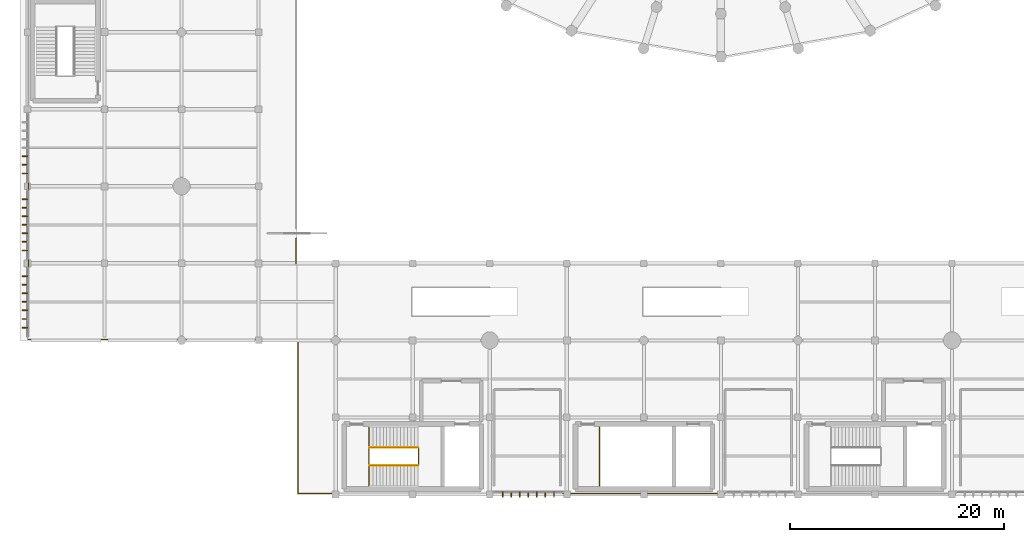
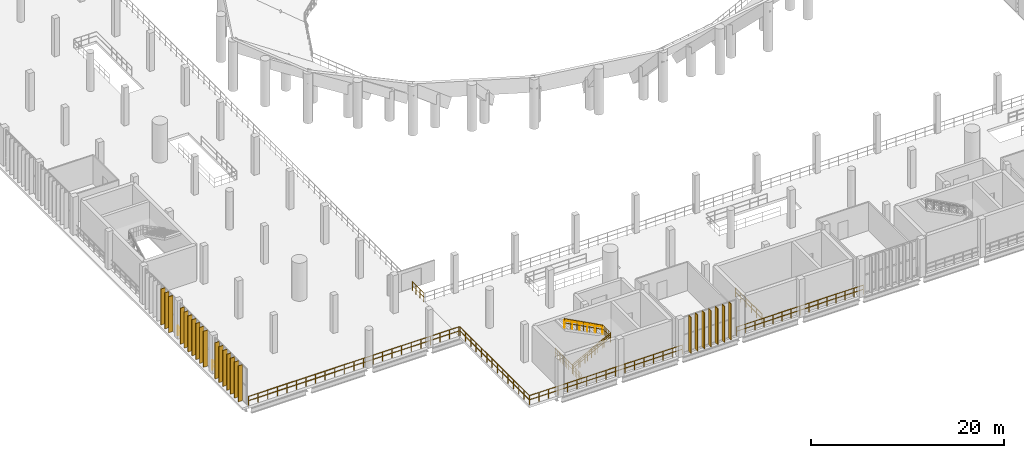
# One storey, part 90 of 105: 24 coverings, 12 railings.
"""IFC4 building model written with IfcOpenShell, lengths in metres."""

from ifc_helpers import new_model, si_unit, direction, frame, origin, origin_2d, place, context, subcontext, project, spatial, rectangle, circle, extrude, material, layer, layer_set, type_object, element, save


model = new_model("IFC4")

# Units and contexts
model_context = context("Model", 3, precision=1e-05, world=origin(), true_north=direction((0.0, 1.0)))
body_context = subcontext(model_context, "Body", "Model", "MODEL_VIEW")
ifc_project = project(units=[si_unit("LENGTHUNIT", "METRE"), si_unit("AREAUNIT", "SQUARE_METRE"), si_unit("VOLUMEUNIT", "CUBIC_METRE"), si_unit("PLANEANGLEUNIT", "RADIAN"), si_unit("MASSUNIT", "GRAM", prefix="KILO")], contexts=[model_context])

# Site, building, storey
site_placement = place(None, origin())
site = spatial("IfcSite", under=ifc_project, at=site_placement, CompositionType="ELEMENT")
building_placement = place(site_placement, origin())
building = spatial("IfcBuilding", under=site, at=building_placement, Name="Qandorah Velis Arena", CompositionType="ELEMENT")
storey_placement = place(building_placement, frame((0.0, 0.0, 13.800048828125)))
storey = spatial("IfcBuildingStorey", under=building, at=storey_placement, Name="L03", CompositionType="ELEMENT", Elevation=13.800048828125)

# Coverings
ifc_material_1 = material(Name="Champagne-bronze anodized aluminium 6063-T6", Category="aluminium")
ifc_layer = layer(ifc_material_1, 0.0849609375)
ifc_layer_set = layer_set([ifc_layer], Name="Champagne-bronze anodized aluminium 6063-T6")
covering_type = type_object("IfcCoveringType", Name="ARC-COV-FIN520", PredefinedType="CLADDING", material=ifc_layer_set)
for number, where, z_axis, x_axis, name in (
    (1, (-0.251953125, 15.60009765625, -0.01025390625), (0.0, 0.0, 1.0), (1.0, 0.0, 0.0), "Vertical champagne-bronze solar fin blade WNG-W-L03-02-001"),
    (2, (-0.251953125, 16.39990234375, -0.01025390625), (0.0, 0.0, 1.0), (1.0, 0.0, 0.0), "Vertical champagne-bronze solar fin blade WNG-W-L03-02-002"),
    (3, (-0.251953125, 17.199951171875, -0.01025390625), (0.0, 0.0, 1.0), (1.0, 0.0, 0.0), "Vertical champagne-bronze solar fin blade WNG-W-L03-02-003"),
    (4, (-0.251953125, 18.0, -0.01025390625), (0.0, 0.0, 1.0), (1.0, 0.0, 0.0), "Vertical champagne-bronze solar fin blade WNG-W-L03-02-004"),
    (5, (-0.251953125, 18.800048828125, -0.01025390625), (0.0, 0.0, 1.0), (1.0, 0.0, 0.0), "Vertical champagne-bronze solar fin blade WNG-W-L03-02-005"),
    (6, (-0.251953125, 19.60009765625, -0.01025390625), (0.0, 0.0, 1.0), (1.0, 0.0, 0.0), "Vertical champagne-bronze solar fin blade WNG-W-L03-02-006"),
    (7, (-0.251953125, 20.39990234375, -0.01025390625), (0.0, 0.0, 1.0), (1.0, 0.0, 0.0), "Vertical champagne-bronze solar fin blade WNG-W-L03-02-007"),
    (8, (-0.251953125, 22.800048828125, -0.01025390625), (0.0, 0.0, 1.0), (1.0, 0.0, 0.0), "Vertical champagne-bronze solar fin blade WNG-W-L03-03-001"),
    (9, (-0.251953125, 23.60009765625, -0.01025390625), (0.0, 0.0, 1.0), (1.0, 0.0, 0.0), "Vertical champagne-bronze solar fin blade WNG-W-L03-03-002"),
    (10, (-0.251953125, 24.39990234375, -0.01025390625), (0.0, 0.0, 1.0), (1.0, 0.0, 0.0), "Vertical champagne-bronze solar fin blade WNG-W-L03-03-003"),
    (11, (-0.251953125, 25.199951171875, -0.01025390625), (0.0, 0.0, 1.0), (1.0, 0.0, 0.0), "Vertical champagne-bronze solar fin blade WNG-W-L03-03-004"),
    (12, (-0.251953125, 26.0, -0.01025390625), (0.0, 0.0, 1.0), (1.0, 0.0, 0.0), "Vertical champagne-bronze solar fin blade WNG-W-L03-03-005"),
    (13, (-0.251953125, 26.800048828125, -0.01025390625), (0.0, 0.0, 1.0), (1.0, 0.0, 0.0), "Vertical champagne-bronze solar fin blade WNG-W-L03-03-006"),
    (14, (-0.251953125, 27.60009765625, -0.01025390625), (0.0, 0.0, 1.0), (1.0, 0.0, 0.0), "Vertical champagne-bronze solar fin blade WNG-W-L03-03-007"),
    (15, (-0.251953125, 30.0, -0.01025390625), (0.0, 0.0, 1.0), (1.0, 0.0, 0.0), "Vertical champagne-bronze solar fin blade WNG-W-L03-04-001"),
    (16, (-0.251953125, 30.800048828125, -0.01025390625), (0.0, 0.0, 1.0), (1.0, 0.0, 0.0), "Vertical champagne-bronze solar fin blade WNG-W-L03-04-002"),
    (17, (-0.251953125, 31.60009765625, -0.01025390625), (0.0, 0.0, 1.0), (1.0, 0.0, 0.0), "Vertical champagne-bronze solar fin blade WNG-W-L03-04-003"),
):
    element("IfcCovering", number, at=place(storey_placement, frame(where, z_axis=z_axis, x_axis=x_axis)), inside=storey, type_object=covering_type, Name=name, PredefinedType="CLADDING", context=body_context, shape_type="SweptSolid", body=[
        extrude(rectangle(XDim=0.52001953125, YDim=0.0849609375, at=origin_2d()), origin(), (0.0, 0.0, 1.0), 4.550048828125),
    ])
for number, where, z_axis, x_axis, name in (
    (18, (44.39990234375, -0.001953125, -0.01025390625), (0.0, 0.0, 1.0), (1.0, 0.0, 0.0), "Vertical champagne-bronze solar fin blade WNG-S-L03-06-001"),
    (19, (45.199951171875, -0.001953125, -0.01025390625), (0.0, 0.0, 1.0), (1.0, 0.0, 0.0), "Vertical champagne-bronze solar fin blade WNG-S-L03-06-002"),
    (20, (46.0, -0.001953125, -0.01025390625), (0.0, 0.0, 1.0), (1.0, 0.0, 0.0), "Vertical champagne-bronze solar fin blade WNG-S-L03-06-003"),
    (21, (46.800048828125, -0.001953125, -0.01025390625), (0.0, 0.0, 1.0), (1.0, 0.0, 0.0), "Vertical champagne-bronze solar fin blade WNG-S-L03-06-004"),
    (22, (47.60009765625, -0.001953125, -0.01025390625), (0.0, 0.0, 1.0), (1.0, 0.0, 0.0), "Vertical champagne-bronze solar fin blade WNG-S-L03-06-005"),
    (23, (48.39990234375, -0.001953125, -0.01025390625), (0.0, 0.0, 1.0), (1.0, 0.0, 0.0), "Vertical champagne-bronze solar fin blade WNG-S-L03-06-006"),
    (24, (49.199951171875, -0.001953125, -0.01025390625), (0.0, 0.0, 1.0), (1.0, 0.0, 0.0), "Vertical champagne-bronze solar fin blade WNG-S-L03-06-007"),
):
    element("IfcCovering", number, at=place(storey_placement, frame(where, z_axis=z_axis, x_axis=x_axis)), inside=storey, type_object=covering_type, Name=name, PredefinedType="CLADDING", context=body_context, shape_type="SweptSolid", body=[
        extrude(rectangle(XDim=0.0849609375, YDim=0.52001953125, at=origin_2d()), origin(), (0.0, 0.0, 1.0), 4.550048828125),
    ])

# Railings
ifc_material_2 = material(Name="Stainless steel 316", Category="steel")
railing_type_1 = type_object("IfcRailingType", Name="ARC-RL-GRD1150", PredefinedType="GUARDRAIL", material=ifc_material_2)
railing_1_placement = place(storey_placement, frame((31.909912109375, 0.860107421875, 0.0)))
element("IfcRailing", 25, at=railing_1_placement, inside=storey, type_object=railing_type_1, Name="Stair ST1 landing well-slot guardrail L03", PredefinedType="GUARDRAIL", context=body_context, shape_type="SweptSolid", body=[
    extrude(circle(Radius=0.02392578125, at=origin_2d()), frame((0.0, 0.0, 1.1259765625), z_axis=(0.0, 1.0, 0.0), x_axis=(-1.0, 0.0, 0.0)), (0.0, 0.0, 1.0), 5.3798828125),
    extrude(circle(Radius=0.02392578125, at=origin_2d()), frame((0.0, 0.0, 0.597900390625), z_axis=(0.0, 1.0, 0.0), x_axis=(-1.0, 0.0, 0.0)), (0.0, 0.0, 1.0), 5.3798828125),
    extrude(circle(Radius=0.02099609375, at=origin_2d()), origin(), (0.0, 0.0, 1.0), 1.101806640625),
    extrude(circle(Radius=0.02099609375, at=origin_2d()), frame((0.0, 0.298828125, 0.0)), (0.0, 0.0, 1.0), 1.101806640625),
    extrude(circle(Radius=0.02099609375, at=origin_2d()), frame((0.0, 0.59765625, 0.0)), (0.0, 0.0, 1.0), 1.101806640625),
    extrude(circle(Radius=0.02099609375, at=origin_2d()), frame((0.0, 0.896728515625, 0.0)), (0.0, 0.0, 1.0), 1.101806640625),
    extrude(circle(Radius=0.02099609375, at=origin_2d()), frame((0.0, 1.195556640625, 0.0)), (0.0, 0.0, 1.0), 1.101806640625),
    extrude(circle(Radius=0.02099609375, at=origin_2d()), frame((0.0, 1.494384765625, 0.0)), (0.0, 0.0, 1.0), 1.101806640625),
    extrude(circle(Radius=0.02099609375, at=origin_2d()), frame((0.0, 1.793212890625, 0.0)), (0.0, 0.0, 1.0), 1.101806640625),
    extrude(circle(Radius=0.02099609375, at=origin_2d()), frame((0.0, 2.09228515625, 0.0)), (0.0, 0.0, 1.0), 1.101806640625),
    extrude(circle(Radius=0.02099609375, at=origin_2d()), frame((0.0, 2.39111328125, 0.0)), (0.0, 0.0, 1.0), 1.101806640625),
    extrude(circle(Radius=0.02099609375, at=origin_2d()), frame((0.0, 2.68994140625, 0.0)), (0.0, 0.0, 1.0), 1.101806640625),
    extrude(circle(Radius=0.02099609375, at=origin_2d()), frame((0.0, 2.98876953125, 0.0)), (0.0, 0.0, 1.0), 1.101806640625),
    extrude(circle(Radius=0.02099609375, at=origin_2d()), frame((0.0, 3.28759765625, 0.0)), (0.0, 0.0, 1.0), 1.101806640625),
    extrude(circle(Radius=0.02099609375, at=origin_2d()), frame((0.0, 3.586669921875, 0.0)), (0.0, 0.0, 1.0), 1.101806640625),
    extrude(circle(Radius=0.02099609375, at=origin_2d()), frame((0.0, 3.885498046875, 0.0)), (0.0, 0.0, 1.0), 1.101806640625),
    extrude(circle(Radius=0.02099609375, at=origin_2d()), frame((0.0, 4.184326171875, 0.0)), (0.0, 0.0, 1.0), 1.101806640625),
    extrude(circle(Radius=0.02099609375, at=origin_2d()), frame((0.0, 4.483154296875, 0.0)), (0.0, 0.0, 1.0), 1.101806640625),
    extrude(circle(Radius=0.02099609375, at=origin_2d()), frame((0.0, 4.7822265625, 0.0)), (0.0, 0.0, 1.0), 1.101806640625),
    extrude(circle(Radius=0.02099609375, at=origin_2d()), frame((0.0, 5.0810546875, 0.0)), (0.0, 0.0, 1.0), 1.101806640625),
    extrude(circle(Radius=0.02099609375, at=origin_2d()), frame((0.0, 5.3798828125, 0.0)), (0.0, 0.0, 1.0), 1.101806640625),
])
railing_2_placement = place(storey_placement, frame((36.5458984375, 2.739990234375, 2.39990234375)))
element("IfcRailing", 26, at=railing_2_placement, inside=storey, type_object=railing_type_1, Name="Stair ST1 well guardrail (L03)", PredefinedType="GUARDRAIL", context=body_context, shape_type="SweptSolid", body=[
    extrude(circle(Radius=0.02392578125, at=origin_2d()), frame((0.0, 0.0, 1.1259765625), z_axis=(0.0, 1.0, 0.0), x_axis=(-1.0, 0.0, 0.0)), (0.0, 0.0, 1.0), 1.6201171875),
    extrude(circle(Radius=0.02392578125, at=origin_2d()), frame((0.0, 0.0, 0.597900390625), z_axis=(0.0, 1.0, 0.0), x_axis=(-1.0, 0.0, 0.0)), (0.0, 0.0, 1.0), 1.6201171875),
    extrude(circle(Radius=0.02099609375, at=origin_2d()), origin(), (0.0, 0.0, 1.0), 1.101806640625),
    extrude(circle(Radius=0.02099609375, at=origin_2d()), frame((0.0, 0.27001953125, 0.0)), (0.0, 0.0, 1.0), 1.101806640625),
    extrude(circle(Radius=0.02099609375, at=origin_2d()), frame((0.0, 0.5400390625, 0.0)), (0.0, 0.0, 1.0), 1.101806640625),
    extrude(circle(Radius=0.02099609375, at=origin_2d()), frame((0.0, 0.81005859375, 0.0)), (0.0, 0.0, 1.0), 1.101806640625),
    extrude(circle(Radius=0.02099609375, at=origin_2d()), frame((0.0, 1.080078125, 0.0)), (0.0, 0.0, 1.0), 1.101806640625),
    extrude(circle(Radius=0.02099609375, at=origin_2d()), frame((0.0, 1.35009765625, 0.0)), (0.0, 0.0, 1.0), 1.101806640625),
    extrude(circle(Radius=0.02099609375, at=origin_2d()), frame((0.0, 1.6201171875, 0.0)), (0.0, 0.0, 1.0), 1.101806640625),
])
railing_3_placement = place(storey_placement, frame((31.949951171875, 2.72998046875, 0.0)))
element("IfcRailing", 27, at=railing_3_placement, inside=storey, type_object=railing_type_1, Name="Stair ST1 inner flight 1 guardrail (L03)", PredefinedType="GUARDRAIL", context=body_context, shape_type="SweptSolid", body=[
    extrude(circle(Radius=0.02392578125, at=origin_2d()), frame((0.0, 0.0, 1.1259765625), z_axis=(0.883915174832, 0.0, 0.467647264187), x_axis=(0.0, 1.0, 0.0)), (0.0, 0.0, 1.0), 5.1318359375),
    extrude(circle(Radius=0.02392578125, at=origin_2d()), frame((0.0, 0.0, 0.597900390625), z_axis=(0.883915174832, 0.0, 0.467647264187), x_axis=(0.0, 1.0, 0.0)), (0.0, 0.0, 1.0), 5.1318359375),
    extrude(circle(Radius=0.02099609375, at=origin_2d()), origin(), (0.0, 0.0, 1.0), 1.101806640625),
    extrude(circle(Radius=0.02099609375, at=origin_2d()), frame((0.756103515625, 0.0, 0.39990234375)), (0.0, 0.0, 1.0), 1.101806640625),
    extrude(circle(Radius=0.02099609375, at=origin_2d()), frame((1.511962890625, 0.0, 0.800048828125)), (0.0, 0.0, 1.0), 1.101806640625),
    extrude(circle(Radius=0.02099609375, at=origin_2d()), frame((2.26806640625, 0.0, 1.199951171875)), (0.0, 0.0, 1.0), 1.101806640625),
    extrude(circle(Radius=0.02099609375, at=origin_2d()), frame((3.024169921875, 0.0, 1.599853515625)), (0.0, 0.0, 1.0), 1.101806640625),
    extrude(circle(Radius=0.02099609375, at=origin_2d()), frame((3.780029296875, 0.0, 2.0)), (0.0, 0.0, 1.0), 1.101806640625),
    extrude(circle(Radius=0.02099609375, at=origin_2d()), frame((4.5361328125, 0.0, 2.39990234375)), (0.0, 0.0, 1.0), 1.101806640625),
])
railing_4_placement = place(storey_placement, frame((36.486083984375, 4.3701171875, 2.39990234375)))
element("IfcRailing", 28, at=railing_4_placement, inside=storey, type_object=railing_type_1, Name="Stair ST1 inner flight 2 guardrail (L03)", PredefinedType="GUARDRAIL", context=body_context, shape_type="SweptSolid", body=[
    extrude(circle(Radius=0.02392578125, at=origin_2d()), frame((0.0, 0.0, 1.1259765625), z_axis=(-0.883895509492, 0.0, 0.46768443239), x_axis=(0.0, -1.0, 0.0)), (0.0, 0.0, 1.0), 5.132080078125),
    extrude(circle(Radius=0.02392578125, at=origin_2d()), frame((0.0, 0.0, 0.597900390625), z_axis=(-0.883895509492, 0.0, 0.46768443239), x_axis=(0.0, -1.0, 0.0)), (0.0, 0.0, 1.0), 5.132080078125),
    extrude(circle(Radius=0.02099609375, at=origin_2d()), origin(), (0.0, 0.0, 1.0), 1.101806640625),
    extrude(circle(Radius=0.02099609375, at=origin_2d()), frame((-0.756103515625, 0.0, 0.39990234375)), (0.0, 0.0, 1.0), 1.101806640625),
    extrude(circle(Radius=0.02099609375, at=origin_2d()), frame((-1.511962890625, 0.0, 0.800048828125)), (0.0, 0.0, 1.0), 1.101806640625),
    extrude(circle(Radius=0.02099609375, at=origin_2d()), frame((-2.26806640625, 0.0, 1.2001953125)), (0.0, 0.0, 1.0), 1.101806640625),
    extrude(circle(Radius=0.02099609375, at=origin_2d()), frame((-3.024169921875, 0.0, 1.60009765625)), (0.0, 0.0, 1.0), 1.101806640625),
    extrude(circle(Radius=0.02099609375, at=origin_2d()), frame((-3.780029296875, 0.0, 2.0)), (0.0, 0.0, 1.0), 1.101806640625),
    extrude(circle(Radius=0.02099609375, at=origin_2d()), frame((-4.5361328125, 0.0, 2.400146484375)), (0.0, 0.0, 1.0), 1.101806640625),
])
railing_5_placement = place(storey_placement, frame((53.469970703125, 0.81005859375, 0.0)))
element("IfcRailing", 29, at=railing_5_placement, inside=storey, type_object=railing_type_1, Name="Stair ST9 top well guardrail L03", PredefinedType="GUARDRAIL", context=body_context, shape_type="SweptSolid", body=[
    extrude(circle(Radius=0.02392578125, at=origin_2d()), frame((0.0, 0.0, 1.1259765625), z_axis=(0.0, 1.0, 0.0), x_axis=(-1.0, 0.0, 0.0)), (0.0, 0.0, 1.0), 5.47998046875),
    extrude(circle(Radius=0.02392578125, at=origin_2d()), frame((0.0, 0.0, 0.597900390625), z_axis=(0.0, 1.0, 0.0), x_axis=(-1.0, 0.0, 0.0)), (0.0, 0.0, 1.0), 5.47998046875),
    extrude(circle(Radius=0.02099609375, at=origin_2d()), origin(), (0.0, 0.0, 1.0), 1.101806640625),
    extrude(circle(Radius=0.02099609375, at=origin_2d()), frame((0.0, 1.095947265625, 0.0)), (0.0, 0.0, 1.0), 1.101806640625),
    extrude(circle(Radius=0.02099609375, at=origin_2d()), frame((0.0, 2.19189453125, 0.0)), (0.0, 0.0, 1.0), 1.101806640625),
    extrude(circle(Radius=0.02099609375, at=origin_2d()), frame((0.0, 3.2880859375, 0.0)), (0.0, 0.0, 1.0), 1.101806640625),
    extrude(circle(Radius=0.02099609375, at=origin_2d()), frame((0.0, 4.384033203125, 0.0)), (0.0, 0.0, 1.0), 1.101806640625),
    extrude(circle(Radius=0.02099609375, at=origin_2d()), frame((0.0, 5.47998046875, 0.0)), (0.0, 0.0, 1.0), 1.101806640625),
])
railing_6_placement = place(storey_placement, frame((0.10009765625, 21.25, 0.0)))
element("IfcRailing", 30, at=railing_6_placement, inside=storey, type_object=railing_type_1, Name="Slab edge safety guardrail L03-172", PredefinedType="GUARDRAIL", context=body_context, shape_type="SweptSolid", body=[
    extrude(circle(Radius=0.02392578125, at=origin_2d()), frame((0.0, 0.0, 1.1259765625), z_axis=(0.0, 1.0, 0.0), x_axis=(-1.0, 0.0, 0.0)), (0.0, 0.0, 1.0), 0.699951171875),
    extrude(circle(Radius=0.02392578125, at=origin_2d()), frame((0.0, 0.0, 0.597900390625), z_axis=(0.0, 1.0, 0.0), x_axis=(-1.0, 0.0, 0.0)), (0.0, 0.0, 1.0), 0.699951171875),
    extrude(circle(Radius=0.02099609375, at=origin_2d()), origin(), (0.0, 0.0, 1.0), 1.101806640625),
    extrude(circle(Radius=0.02099609375, at=origin_2d()), frame((0.0, 0.699951171875, 0.0)), (0.0, 0.0, 1.0), 1.101806640625),
])
railing_7_placement = place(storey_placement, frame((0.10009765625, 28.47509765625, 0.0)))
element("IfcRailing", 31, at=railing_7_placement, inside=storey, type_object=railing_type_1, Name="Slab edge safety guardrail L03-173", PredefinedType="GUARDRAIL", context=body_context, shape_type="SweptSolid", body=[
    extrude(circle(Radius=0.02392578125, at=origin_2d()), frame((0.0, 0.0, 1.1259765625), z_axis=(0.0, 1.0, 0.0), x_axis=(-1.0, 0.0, 0.0)), (0.0, 0.0, 1.0), 0.64990234375),
    extrude(circle(Radius=0.02392578125, at=origin_2d()), frame((0.0, 0.0, 0.597900390625), z_axis=(0.0, 1.0, 0.0), x_axis=(-1.0, 0.0, 0.0)), (0.0, 0.0, 1.0), 0.64990234375),
    extrude(circle(Radius=0.02099609375, at=origin_2d()), origin(), (0.0, 0.0, 1.0), 1.101806640625),
    extrude(circle(Radius=0.02099609375, at=origin_2d()), frame((0.0, 0.64990234375, 0.0)), (0.0, 0.0, 1.0), 1.101806640625),
])
railing_8_placement = place(storey_placement, frame((65.14990234375, 0.10009765625, 0.0)))
element("IfcRailing", 32, at=railing_8_placement, inside=storey, type_object=railing_type_1, Name="Slab edge safety guardrail L03-209", PredefinedType="GUARDRAIL", context=body_context, shape_type="SweptSolid", body=[
    extrude(circle(Radius=0.02392578125, at=origin_2d()), frame((0.0, 0.0, 1.1259765625), z_axis=(-1.0, 0.0, 0.0), x_axis=(0.0, -1.0, 0.0)), (0.0, 0.0, 1.0), 15.099853515625),
    extrude(circle(Radius=0.02392578125, at=origin_2d()), frame((0.0, 0.0, 0.597900390625), z_axis=(-1.0, 0.0, 0.0), x_axis=(0.0, -1.0, 0.0)), (0.0, 0.0, 1.0), 15.099853515625),
    extrude(circle(Radius=0.02099609375, at=origin_2d()), origin(), (0.0, 0.0, 1.0), 1.101806640625),
    extrude(circle(Radius=0.02099609375, at=origin_2d()), frame((-1.07861328125, 0.0, 0.0)), (0.0, 0.0, 1.0), 1.101806640625),
    extrude(circle(Radius=0.02099609375, at=origin_2d()), frame((-2.1572265625, 0.0, 0.0)), (0.0, 0.0, 1.0), 1.101806640625),
    extrude(circle(Radius=0.02099609375, at=origin_2d()), frame((-3.235595703125, 0.0, 0.0)), (0.0, 0.0, 1.0), 1.101806640625),
    extrude(circle(Radius=0.02099609375, at=origin_2d()), frame((-4.314208984375, 0.0, 0.0)), (0.0, 0.0, 1.0), 1.101806640625),
    extrude(circle(Radius=0.02099609375, at=origin_2d()), frame((-5.392822265625, 0.0, 0.0)), (0.0, 0.0, 1.0), 1.101806640625),
    extrude(circle(Radius=0.02099609375, at=origin_2d()), frame((-6.471435546875, 0.0, 0.0)), (0.0, 0.0, 1.0), 1.101806640625),
    extrude(circle(Radius=0.02099609375, at=origin_2d()), frame((-7.5498046875, 0.0, 0.0)), (0.0, 0.0, 1.0), 1.101806640625),
    extrude(circle(Radius=0.02099609375, at=origin_2d()), frame((-8.62841796875, 0.0, 0.0)), (0.0, 0.0, 1.0), 1.101806640625),
    extrude(circle(Radius=0.02099609375, at=origin_2d()), frame((-9.70703125, 0.0, 0.0)), (0.0, 0.0, 1.0), 1.101806640625),
    extrude(circle(Radius=0.02099609375, at=origin_2d()), frame((-10.78564453125, 0.0, 0.0)), (0.0, 0.0, 1.0), 1.101806640625),
    extrude(circle(Radius=0.02099609375, at=origin_2d()), frame((-11.8642578125, 0.0, 0.0)), (0.0, 0.0, 1.0), 1.101806640625),
    extrude(circle(Radius=0.02099609375, at=origin_2d()), frame((-12.942626953125, 0.0, 0.0)), (0.0, 0.0, 1.0), 1.101806640625),
    extrude(circle(Radius=0.02099609375, at=origin_2d()), frame((-14.021240234375, 0.0, 0.0)), (0.0, 0.0, 1.0), 1.101806640625),
    extrude(circle(Radius=0.02099609375, at=origin_2d()), frame((-15.099853515625, 0.0, 0.0)), (0.0, 0.0, 1.0), 1.101806640625),
])
railing_9_placement = place(storey_placement, frame((43.550048828125, 0.10009765625, 0.0)))
element("IfcRailing", 33, at=railing_9_placement, inside=storey, type_object=railing_type_1, Name="Slab edge safety guardrail L03-210", PredefinedType="GUARDRAIL", context=body_context, shape_type="SweptSolid", body=[
    extrude(circle(Radius=0.02392578125, at=origin_2d()), frame((0.0, 0.0, 1.1259765625), z_axis=(-1.0, 0.0, 0.0), x_axis=(0.0, -1.0, 0.0)), (0.0, 0.0, 1.0), 18.25),
    extrude(circle(Radius=0.02392578125, at=origin_2d()), frame((0.0, 0.0, 0.597900390625), z_axis=(-1.0, 0.0, 0.0), x_axis=(0.0, -1.0, 0.0)), (0.0, 0.0, 1.0), 18.25),
    extrude(circle(Radius=0.02392578125, at=origin_2d()), frame((-18.25, 0.0, 1.1259765625), z_axis=(0.0, 1.0, 0.0), x_axis=(-1.0, 0.0, 0.0)), (0.0, 0.0, 1.0), 14.2998046875),
    extrude(circle(Radius=0.02392578125, at=origin_2d()), frame((-18.25, 0.0, 0.597900390625), z_axis=(0.0, 1.0, 0.0), x_axis=(-1.0, 0.0, 0.0)), (0.0, 0.0, 1.0), 14.2998046875),
    extrude(circle(Radius=0.02392578125, at=origin_2d()), frame((-18.25, 14.2998046875, 1.1259765625), z_axis=(-0.634493378388, 0.772928297309, 0.0), x_axis=(-0.772928297309, -0.634493378388, 0.0)), (0.0, 0.0, 1.0), 0.126953125),
    extrude(circle(Radius=0.02392578125, at=origin_2d()), frame((-18.25, 14.2998046875, 0.597900390625), z_axis=(-0.634493378388, 0.772928297309, 0.0), x_axis=(-0.772928297309, -0.634493378388, 0.0)), (0.0, 0.0, 1.0), 0.126953125),
    extrude(circle(Radius=0.02392578125, at=origin_2d()), frame((-18.33056640625, 14.39794921875, 1.1259765625), z_axis=(-0.999999996977, 7.7753695e-05, 0.0), x_axis=(-7.7753695e-05, -0.999999996977, 0.0)), (0.0, 0.0, 1.0), 25.119384765625),
    extrude(circle(Radius=0.02392578125, at=origin_2d()), frame((-18.33056640625, 14.39794921875, 0.597900390625), z_axis=(-0.999999996977, 7.7753695e-05, 0.0), x_axis=(-7.7753695e-05, -0.999999996977, 0.0)), (0.0, 0.0, 1.0), 25.119384765625),
    extrude(circle(Radius=0.02099609375, at=origin_2d()), origin(), (0.0, 0.0, 1.0), 1.101806640625),
    extrude(circle(Radius=0.02099609375, at=origin_2d()), frame((-1.140625, 0.0, 0.0)), (0.0, 0.0, 1.0), 1.101806640625),
    extrude(circle(Radius=0.02099609375, at=origin_2d()), frame((-2.28125, 0.0, 0.0)), (0.0, 0.0, 1.0), 1.101806640625),
    extrude(circle(Radius=0.02099609375, at=origin_2d()), frame((-3.421875, 0.0, 0.0)), (0.0, 0.0, 1.0), 1.101806640625),
    extrude(circle(Radius=0.02099609375, at=origin_2d()), frame((-4.5625, 0.0, 0.0)), (0.0, 0.0, 1.0), 1.101806640625),
    extrude(circle(Radius=0.02099609375, at=origin_2d()), frame((-5.703125, 0.0, 0.0)), (0.0, 0.0, 1.0), 1.101806640625),
    extrude(circle(Radius=0.02099609375, at=origin_2d()), frame((-6.84375, 0.0, 0.0)), (0.0, 0.0, 1.0), 1.101806640625),
    extrude(circle(Radius=0.02099609375, at=origin_2d()), frame((-7.984375, 0.0, 0.0)), (0.0, 0.0, 1.0), 1.101806640625),
    extrude(circle(Radius=0.02099609375, at=origin_2d()), frame((-9.125, 0.0, 0.0)), (0.0, 0.0, 1.0), 1.101806640625),
    extrude(circle(Radius=0.02099609375, at=origin_2d()), frame((-10.265625, 0.0, 0.0)), (0.0, 0.0, 1.0), 1.101806640625),
    extrude(circle(Radius=0.02099609375, at=origin_2d()), frame((-11.40625, 0.0, 0.0)), (0.0, 0.0, 1.0), 1.101806640625),
    extrude(circle(Radius=0.02099609375, at=origin_2d()), frame((-12.546875, 0.0, 0.0)), (0.0, 0.0, 1.0), 1.101806640625),
    extrude(circle(Radius=0.02099609375, at=origin_2d()), frame((-13.6875, 0.0, 0.0)), (0.0, 0.0, 1.0), 1.101806640625),
    extrude(circle(Radius=0.02099609375, at=origin_2d()), frame((-14.828125, 0.0, 0.0)), (0.0, 0.0, 1.0), 1.101806640625),
    extrude(circle(Radius=0.02099609375, at=origin_2d()), frame((-15.96875, 0.0, 0.0)), (0.0, 0.0, 1.0), 1.101806640625),
    extrude(circle(Radius=0.02099609375, at=origin_2d()), frame((-17.109375, 0.0, 0.0)), (0.0, 0.0, 1.0), 1.101806640625),
    extrude(circle(Radius=0.02099609375, at=origin_2d()), frame((-18.25, 0.0, 0.0)), (0.0, 0.0, 1.0), 1.101806640625),
    extrude(circle(Radius=0.02099609375, at=origin_2d()), frame((-18.25, 1.10009765625, 0.0)), (0.0, 0.0, 1.0), 1.101806640625),
    extrude(circle(Radius=0.02099609375, at=origin_2d()), frame((-18.25, 2.199951171875, 0.0)), (0.0, 0.0, 1.0), 1.101806640625),
    extrude(circle(Radius=0.02099609375, at=origin_2d()), frame((-18.25, 3.300048828125, 0.0)), (0.0, 0.0, 1.0), 1.101806640625),
    extrude(circle(Radius=0.02099609375, at=origin_2d()), frame((-18.25, 4.39990234375, 0.0)), (0.0, 0.0, 1.0), 1.101806640625),
    extrude(circle(Radius=0.02099609375, at=origin_2d()), frame((-18.25, 5.5, 0.0)), (0.0, 0.0, 1.0), 1.101806640625),
    extrude(circle(Radius=0.02099609375, at=origin_2d()), frame((-18.25, 6.599853515625, 0.0)), (0.0, 0.0, 1.0), 1.101806640625),
    extrude(circle(Radius=0.02099609375, at=origin_2d()), frame((-18.25, 7.699951171875, 0.0)), (0.0, 0.0, 1.0), 1.101806640625),
    extrude(circle(Radius=0.02099609375, at=origin_2d()), frame((-18.25, 8.7998046875, 0.0)), (0.0, 0.0, 1.0), 1.101806640625),
    extrude(circle(Radius=0.02099609375, at=origin_2d()), frame((-18.25, 9.89990234375, 0.0)), (0.0, 0.0, 1.0), 1.101806640625),
    extrude(circle(Radius=0.02099609375, at=origin_2d()), frame((-18.25, 10.999755859375, 0.0)), (0.0, 0.0, 1.0), 1.101806640625),
    extrude(circle(Radius=0.02099609375, at=origin_2d()), frame((-18.25, 12.099853515625, 0.0)), (0.0, 0.0, 1.0), 1.101806640625),
    extrude(circle(Radius=0.02099609375, at=origin_2d()), frame((-18.25, 13.19970703125, 0.0)), (0.0, 0.0, 1.0), 1.101806640625),
    extrude(circle(Radius=0.02099609375, at=origin_2d()), frame((-18.25, 14.2998046875, 0.0)), (0.0, 0.0, 1.0), 1.101806640625),
    extrude(circle(Radius=0.02099609375, at=origin_2d()), frame((-18.33056640625, 14.39794921875, 0.0)), (0.0, 0.0, 1.0), 1.101806640625),
    extrude(circle(Radius=0.02099609375, at=origin_2d()), frame((-19.472412109375, 14.39794921875, 0.0)), (0.0, 0.0, 1.0), 1.101806640625),
    extrude(circle(Radius=0.02099609375, at=origin_2d()), frame((-20.6142578125, 14.398193359375, 0.0)), (0.0, 0.0, 1.0), 1.101806640625),
    extrude(circle(Radius=0.02099609375, at=origin_2d()), frame((-21.755859375, 14.398193359375, 0.0)), (0.0, 0.0, 1.0), 1.101806640625),
    extrude(circle(Radius=0.02099609375, at=origin_2d()), frame((-22.897705078125, 14.398193359375, 0.0)), (0.0, 0.0, 1.0), 1.101806640625),
    extrude(circle(Radius=0.02099609375, at=origin_2d()), frame((-24.03955078125, 14.3984375, 0.0)), (0.0, 0.0, 1.0), 1.101806640625),
    extrude(circle(Radius=0.02099609375, at=origin_2d()), frame((-25.181396484375, 14.3984375, 0.0)), (0.0, 0.0, 1.0), 1.101806640625),
    extrude(circle(Radius=0.02099609375, at=origin_2d()), frame((-26.322998046875, 14.398681640625, 0.0)), (0.0, 0.0, 1.0), 1.101806640625),
    extrude(circle(Radius=0.02099609375, at=origin_2d()), frame((-27.46484375, 14.398681640625, 0.0)), (0.0, 0.0, 1.0), 1.101806640625),
    extrude(circle(Radius=0.02099609375, at=origin_2d()), frame((-28.606689453125, 14.398681640625, 0.0)), (0.0, 0.0, 1.0), 1.101806640625),
    extrude(circle(Radius=0.02099609375, at=origin_2d()), frame((-29.74853515625, 14.39892578125, 0.0)), (0.0, 0.0, 1.0), 1.101806640625),
    extrude(circle(Radius=0.02099609375, at=origin_2d()), frame((-30.89013671875, 14.39892578125, 0.0)), (0.0, 0.0, 1.0), 1.101806640625),
    extrude(circle(Radius=0.02099609375, at=origin_2d()), frame((-32.031982421875, 14.39892578125, 0.0)), (0.0, 0.0, 1.0), 1.101806640625),
    extrude(circle(Radius=0.02099609375, at=origin_2d()), frame((-33.173828125, 14.399169921875, 0.0)), (0.0, 0.0, 1.0), 1.101806640625),
    extrude(circle(Radius=0.02099609375, at=origin_2d()), frame((-34.315673828125, 14.399169921875, 0.0)), (0.0, 0.0, 1.0), 1.101806640625),
    extrude(circle(Radius=0.02099609375, at=origin_2d()), frame((-35.45751953125, 14.399169921875, 0.0)), (0.0, 0.0, 1.0), 1.101806640625),
    extrude(circle(Radius=0.02099609375, at=origin_2d()), frame((-36.59912109375, 14.3994140625, 0.0)), (0.0, 0.0, 1.0), 1.101806640625),
    extrude(circle(Radius=0.02099609375, at=origin_2d()), frame((-37.740966796875, 14.3994140625, 0.0)), (0.0, 0.0, 1.0), 1.101806640625),
    extrude(circle(Radius=0.02099609375, at=origin_2d()), frame((-38.8828125, 14.399658203125, 0.0)), (0.0, 0.0, 1.0), 1.101806640625),
    extrude(circle(Radius=0.02099609375, at=origin_2d()), frame((-40.024658203125, 14.399658203125, 0.0)), (0.0, 0.0, 1.0), 1.101806640625),
    extrude(circle(Radius=0.02099609375, at=origin_2d()), frame((-41.166259765625, 14.399658203125, 0.0)), (0.0, 0.0, 1.0), 1.101806640625),
    extrude(circle(Radius=0.02099609375, at=origin_2d()), frame((-42.30810546875, 14.39990234375, 0.0)), (0.0, 0.0, 1.0), 1.101806640625),
    extrude(circle(Radius=0.02099609375, at=origin_2d()), frame((-43.449951171875, 14.39990234375, 0.0)), (0.0, 0.0, 1.0), 1.101806640625),
])
railing_10_placement = place(storey_placement, frame((25.10009765625, 23.949951171875, 0.0)))
element("IfcRailing", 34, at=railing_10_placement, inside=storey, type_object=railing_type_1, Name="Slab edge safety guardrail L03-223", PredefinedType="GUARDRAIL", context=body_context, shape_type="SweptSolid", body=[
    extrude(circle(Radius=0.02392578125, at=origin_2d()), frame((0.0, 0.0, 1.1259765625), z_axis=(0.0, -1.0, 0.0), x_axis=(1.0, 0.0, 0.0)), (0.0, 0.0, 1.0), 2.349853515625),
    extrude(circle(Radius=0.02392578125, at=origin_2d()), frame((0.0, 0.0, 0.597900390625), z_axis=(0.0, -1.0, 0.0), x_axis=(1.0, 0.0, 0.0)), (0.0, 0.0, 1.0), 2.349853515625),
    extrude(circle(Radius=0.02099609375, at=origin_2d()), origin(), (0.0, 0.0, 1.0), 1.101806640625),
    extrude(circle(Radius=0.02099609375, at=origin_2d()), frame((0.0, -0.783203125, 0.0)), (0.0, 0.0, 1.0), 1.101806640625),
    extrude(circle(Radius=0.02099609375, at=origin_2d()), frame((0.0, -1.566650390625, 0.0)), (0.0, 0.0, 1.0), 1.101806640625),
    extrude(circle(Radius=0.02099609375, at=origin_2d()), frame((0.0, -2.349853515625, 0.0)), (0.0, 0.0, 1.0), 1.101806640625),
])
railing_type_2 = type_object("IfcRailingType", Name="ARC-RL-HND920", PredefinedType="HANDRAIL", material=ifc_material_2)
railing_11_placement = place(storey_placement, frame((31.949951171875, 2.72998046875, 0.0)))
element("IfcRailing", 35, at=railing_11_placement, inside=storey, type_object=railing_type_2, Name="Stair ST1 inner handrail 1 (L03)", PredefinedType="HANDRAIL", context=body_context, shape_type="SweptSolid", body=[
    extrude(circle(Radius=0.02392578125, at=origin_2d()), frame((0.0, 0.0, 0.89599609375), z_axis=(0.883915174832, 0.0, 0.467647264187), x_axis=(0.0, 1.0, 0.0)), (0.0, 0.0, 1.0), 5.1318359375),
    extrude(circle(Radius=0.02099609375, at=origin_2d()), origin(), (0.0, 0.0, 1.0), 0.871826171875),
    extrude(circle(Radius=0.02099609375, at=origin_2d()), frame((0.9072265625, 0.0, 0.47998046875)), (0.0, 0.0, 1.0), 0.871826171875),
    extrude(circle(Radius=0.02099609375, at=origin_2d()), frame((1.814453125, 0.0, 0.9599609375)), (0.0, 0.0, 1.0), 0.871826171875),
    extrude(circle(Radius=0.02099609375, at=origin_2d()), frame((2.7216796875, 0.0, 1.43994140625)), (0.0, 0.0, 1.0), 0.871826171875),
    extrude(circle(Radius=0.02099609375, at=origin_2d()), frame((3.62890625, 0.0, 1.919921875)), (0.0, 0.0, 1.0), 0.871826171875),
    extrude(circle(Radius=0.02099609375, at=origin_2d()), frame((4.5361328125, 0.0, 2.39990234375)), (0.0, 0.0, 1.0), 0.871826171875),
])
railing_12_placement = place(storey_placement, frame((36.486083984375, 4.3701171875, 2.39990234375)))
element("IfcRailing", 36, at=railing_12_placement, inside=storey, type_object=railing_type_2, Name="Stair ST1 inner handrail 2 (L03)", PredefinedType="HANDRAIL", context=body_context, shape_type="SweptSolid", body=[
    extrude(circle(Radius=0.02392578125, at=origin_2d()), frame((0.0, 0.0, 0.89599609375), z_axis=(-0.883895509492, 0.0, 0.46768443239), x_axis=(0.0, -1.0, 0.0)), (0.0, 0.0, 1.0), 5.132080078125),
    extrude(circle(Radius=0.02099609375, at=origin_2d()), origin(), (0.0, 0.0, 1.0), 0.871826171875),
    extrude(circle(Radius=0.02099609375, at=origin_2d()), frame((-0.9072265625, 0.0, 0.47998046875)), (0.0, 0.0, 1.0), 0.871826171875),
    extrude(circle(Radius=0.02099609375, at=origin_2d()), frame((-1.814453125, 0.0, 0.9599609375)), (0.0, 0.0, 1.0), 0.871826171875),
    extrude(circle(Radius=0.02099609375, at=origin_2d()), frame((-2.7216796875, 0.0, 1.440185546875)), (0.0, 0.0, 1.0), 0.871826171875),
    extrude(circle(Radius=0.02099609375, at=origin_2d()), frame((-3.62890625, 0.0, 1.920166015625)), (0.0, 0.0, 1.0), 0.871826171875),
    extrude(circle(Radius=0.02099609375, at=origin_2d()), frame((-4.5361328125, 0.0, 2.400146484375)), (0.0, 0.0, 1.0), 0.871826171875),
])

save(model, "model.ifc")
